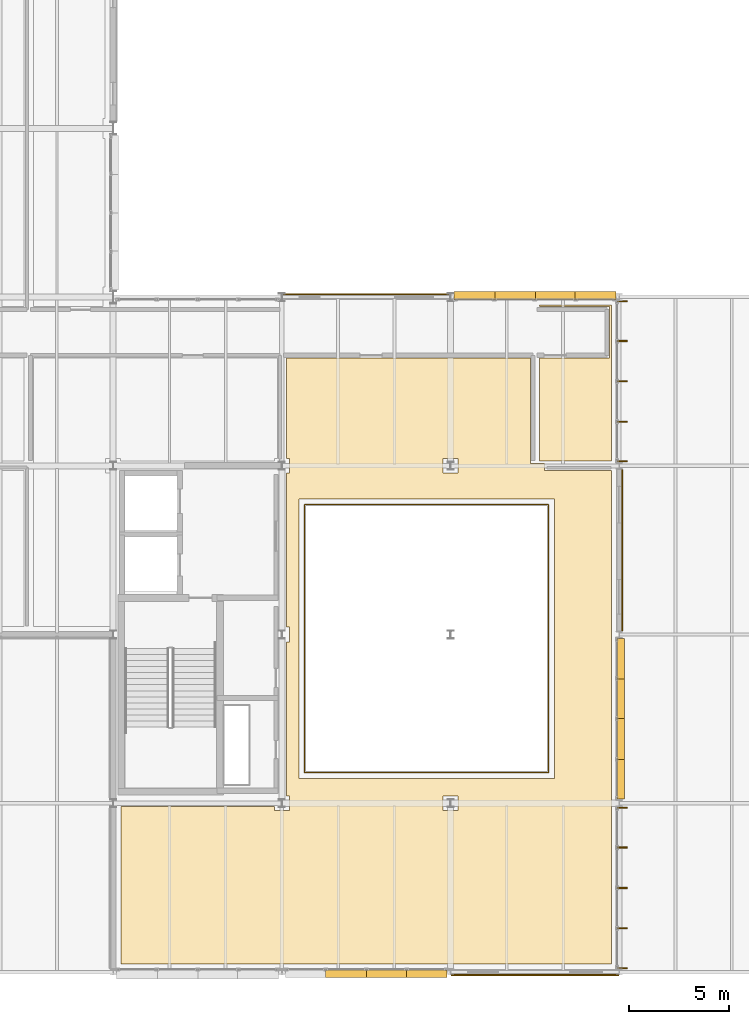
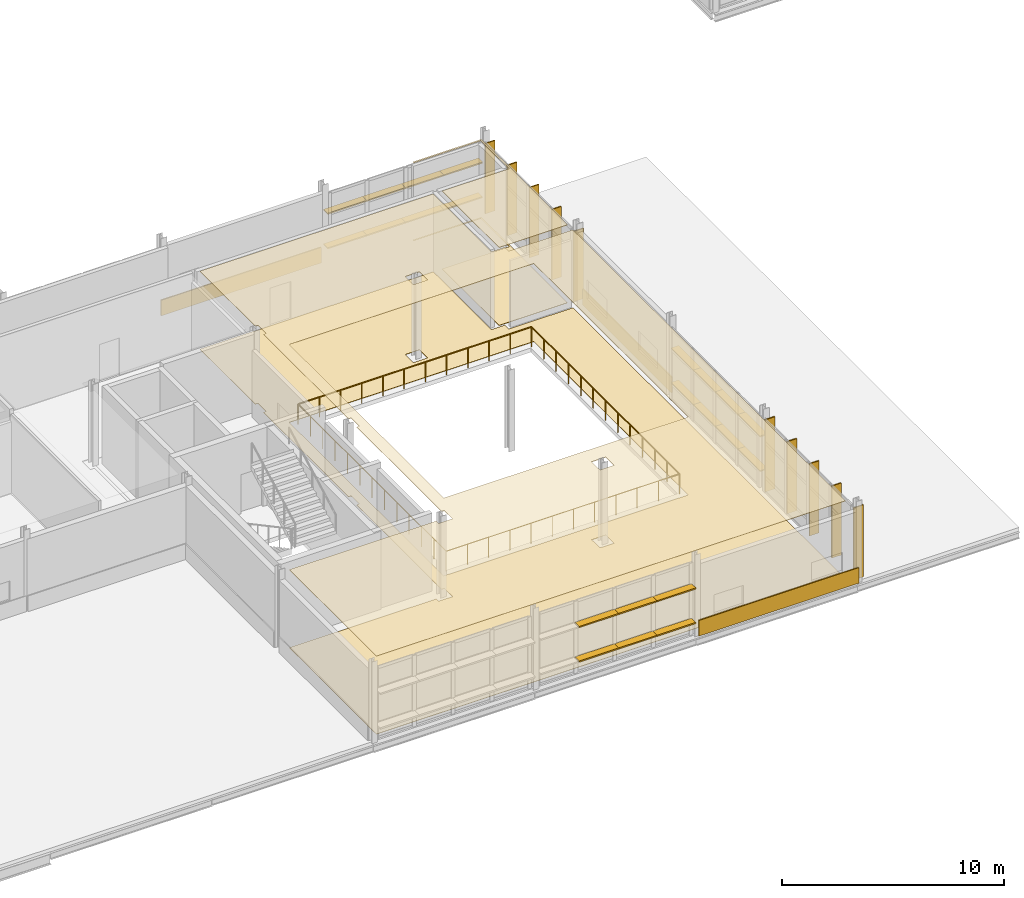
# One storey, part 122 of 129: 32 shading devices, 7 coverings, 1 railing.
"""IFC4 building model written with IfcOpenShell, lengths in metres."""

from ifc_helpers import new_model, si_unit, direction, frame, origin, origin_2d, place, context, subcontext, project, spatial, polyline, rectangle, circle, outline, extrude, material, layer, layer_set, type_object, element, save


model = new_model("IFC4")

# Units and contexts
model_context = context("Model", 3, precision=1e-05, world=origin(), true_north=direction((0.0, 1.0)))
body_context = subcontext(model_context, "Body", "Model", "MODEL_VIEW")
ifc_project = project(units=[si_unit("LENGTHUNIT", "METRE"), si_unit("AREAUNIT", "SQUARE_METRE"), si_unit("VOLUMEUNIT", "CUBIC_METRE"), si_unit("PLANEANGLEUNIT", "RADIAN"), si_unit("MASSUNIT", "GRAM", prefix="KILO")], contexts=[model_context])

# Site, building, storey
site_placement = place(None, origin())
site = spatial("IfcSite", under=ifc_project, at=site_placement, CompositionType="ELEMENT")
building_placement = place(site_placement, origin())
building = spatial("IfcBuilding", under=site, at=building_placement, Name="Mersafa Astral City Hall", CompositionType="ELEMENT")
storey_placement = place(building_placement, frame((0.0, 0.0, 5.39990234375)))
storey = spatial("IfcBuildingStorey", under=building, at=storey_placement, Name="L01", CompositionType="ELEMENT", Elevation=5.39990234375)

# Coverings
ifc_material_1 = material(Name="Cairo Mokattam buff limestone cladding", Category="masonry")
ifc_layer_1 = layer(ifc_material_1, 0.06005859375, Name="Cairo Mokattam buff limestone cladding")
ifc_layer_set_1 = layer_set([ifc_layer_1], Name="Cairo Mokattam buff limestone cladding — ENV-COV-LIMESTONE-60")
covering_type_1 = type_object("IfcCoveringType", Name="ENV-COV-LIMESTONE-60", PredefinedType="CLADDING", material=ifc_layer_set_1)
covering_1_placement = place(storey_placement, frame((138.60009765625, -0.154541015625, 0.0), z_axis=(0.0, 0.0, 1.0), x_axis=(1.0, 0.0, 0.0)))
element("IfcCovering", 1, at=covering_1_placement, inside=storey, type_object=covering_type_1, Name="L01 Cairo buff limestone rainscreen cladding 75", PredefinedType="CLADDING", context=body_context, shape_type="SweptSolid", body=[
    extrude(rectangle(XDim=8.323974609375, YDim=0.06005859375, at=origin_2d()), origin(), (0.0, 0.0, 1.0), 0.860107421875),
])
covering_2_placement = place(storey_placement, frame((142.947021484375, 20.9951171875, 0.0), z_axis=(0.0, 0.0, 1.0), x_axis=(0.0, 1.0, 0.0)))
element("IfcCovering", 2, at=covering_2_placement, inside=storey, type_object=covering_type_1, Name="L01 Cairo buff limestone rainscreen cladding 76", PredefinedType="CLADDING", context=body_context, shape_type="SweptSolid", body=[
    extrude(rectangle(XDim=7.998046875, YDim=0.06005859375, at=origin_2d()), origin(), (0.0, 0.0, 1.0), 0.860107421875),
])
covering_3_placement = place(storey_placement, frame((130.199951171875, 33.739501953125, 0.0), z_axis=(0.0, 0.0, 1.0), x_axis=(-1.0, 0.0, 0.0)))
element("IfcCovering", 3, at=covering_3_placement, inside=storey, type_object=covering_type_1, Name="L01 Cairo buff limestone rainscreen cladding 77", PredefinedType="CLADDING", context=body_context, shape_type="SweptSolid", body=[
    extrude(rectangle(XDim=8.323974609375, YDim=0.06005859375, at=origin_2d()), origin(), (0.0, 0.0, 1.0), 0.860107421875),
])

# Railing
ifc_material_2 = material(Name="Architectural steel atrium guard balustrade", Category="steel")
railing_type = type_object("IfcRailingType", Name="ENV-RAIL-ATRIUM-1120", PredefinedType="BALUSTRADE", material=ifc_material_2)
railing_placement = place(storey_placement, frame((127.1298828125, 9.929931640625, 0.0)))
element("IfcRailing", 4, at=railing_placement, inside=storey, type_object=railing_type, Name="L01 Multi-storey void guard balustrade VOID-L01-LIB", PredefinedType="BALUSTRADE", context=body_context, shape_type="SweptSolid", body=[
    extrude(circle(Radius=0.02392578125, at=origin_2d()), frame((0.0, 0.0, 1.09619140625), z_axis=(1.0, 0.0, 0.0), x_axis=(0.0, 1.0, 0.0)), (0.0, 0.0, 1.0), 12.14013671875),
    extrude(circle(Radius=0.02392578125, at=origin_2d()), frame((12.14013671875, 0.0, 1.09619140625), z_axis=(0.0, 1.0, 0.0), x_axis=(-1.0, 0.0, 0.0)), (0.0, 0.0, 1.0), 13.340087890625),
    extrude(circle(Radius=0.02392578125, at=origin_2d()), frame((12.14013671875, 13.340087890625, 1.09619140625), z_axis=(-1.0, 0.0, 0.0), x_axis=(0.0, -1.0, 0.0)), (0.0, 0.0, 1.0), 12.14013671875),
    extrude(circle(Radius=0.02392578125, at=origin_2d()), frame((0.0, 13.340087890625, 1.09619140625), z_axis=(0.0, -1.0, 0.0), x_axis=(1.0, 0.0, 0.0)), (0.0, 0.0, 1.0), 13.340087890625),
    extrude(circle(Radius=0.02099609375, at=origin_2d()), origin(), (0.0, 0.0, 1.0), 1.072021484375),
    extrude(circle(Radius=0.02099609375, at=origin_2d()), frame((1.103759765625, 0.0, 0.0)), (0.0, 0.0, 1.0), 1.072021484375),
    extrude(circle(Radius=0.02099609375, at=origin_2d()), frame((2.207275390625, 0.0, 0.0)), (0.0, 0.0, 1.0), 1.072021484375),
    extrude(circle(Radius=0.02099609375, at=origin_2d()), frame((3.31103515625, 0.0, 0.0)), (0.0, 0.0, 1.0), 1.072021484375),
    extrude(circle(Radius=0.02099609375, at=origin_2d()), frame((4.41455078125, 0.0, 0.0)), (0.0, 0.0, 1.0), 1.072021484375),
    extrude(circle(Radius=0.02099609375, at=origin_2d()), frame((5.518310546875, 0.0, 0.0)), (0.0, 0.0, 1.0), 1.072021484375),
    extrude(circle(Radius=0.02099609375, at=origin_2d()), frame((6.621826171875, 0.0, 0.0)), (0.0, 0.0, 1.0), 1.072021484375),
    extrude(circle(Radius=0.02099609375, at=origin_2d()), frame((7.7255859375, 0.0, 0.0)), (0.0, 0.0, 1.0), 1.072021484375),
    extrude(circle(Radius=0.02099609375, at=origin_2d()), frame((8.8291015625, 0.0, 0.0)), (0.0, 0.0, 1.0), 1.072021484375),
    extrude(circle(Radius=0.02099609375, at=origin_2d()), frame((9.932861328125, 0.0, 0.0)), (0.0, 0.0, 1.0), 1.072021484375),
    extrude(circle(Radius=0.02099609375, at=origin_2d()), frame((11.036376953125, 0.0, 0.0)), (0.0, 0.0, 1.0), 1.072021484375),
    extrude(circle(Radius=0.02099609375, at=origin_2d()), frame((12.14013671875, 0.0, 0.0)), (0.0, 0.0, 1.0), 1.072021484375),
    extrude(circle(Radius=0.02099609375, at=origin_2d()), frame((12.14013671875, 1.111572265625, 0.0)), (0.0, 0.0, 1.0), 1.072021484375),
    extrude(circle(Radius=0.02099609375, at=origin_2d()), frame((12.14013671875, 2.223388671875, 0.0)), (0.0, 0.0, 1.0), 1.072021484375),
    extrude(circle(Radius=0.02099609375, at=origin_2d()), frame((12.14013671875, 3.3349609375, 0.0)), (0.0, 0.0, 1.0), 1.072021484375),
    extrude(circle(Radius=0.02099609375, at=origin_2d()), frame((12.14013671875, 4.44677734375, 0.0)), (0.0, 0.0, 1.0), 1.072021484375),
    extrude(circle(Radius=0.02099609375, at=origin_2d()), frame((12.14013671875, 5.558349609375, 0.0)), (0.0, 0.0, 1.0), 1.072021484375),
    extrude(circle(Radius=0.02099609375, at=origin_2d()), frame((12.14013671875, 6.669921875, 0.0)), (0.0, 0.0, 1.0), 1.072021484375),
    extrude(circle(Radius=0.02099609375, at=origin_2d()), frame((12.14013671875, 7.78173828125, 0.0)), (0.0, 0.0, 1.0), 1.072021484375),
    extrude(circle(Radius=0.02099609375, at=origin_2d()), frame((12.14013671875, 8.893310546875, 0.0)), (0.0, 0.0, 1.0), 1.072021484375),
    extrude(circle(Radius=0.02099609375, at=origin_2d()), frame((12.14013671875, 10.005126953125, 0.0)), (0.0, 0.0, 1.0), 1.072021484375),
    extrude(circle(Radius=0.02099609375, at=origin_2d()), frame((12.14013671875, 11.11669921875, 0.0)), (0.0, 0.0, 1.0), 1.072021484375),
    extrude(circle(Radius=0.02099609375, at=origin_2d()), frame((12.14013671875, 12.228515625, 0.0)), (0.0, 0.0, 1.0), 1.072021484375),
    extrude(circle(Radius=0.02099609375, at=origin_2d()), frame((12.14013671875, 13.340087890625, 0.0)), (0.0, 0.0, 1.0), 1.072021484375),
    extrude(circle(Radius=0.02099609375, at=origin_2d()), frame((11.036376953125, 13.340087890625, 0.0)), (0.0, 0.0, 1.0), 1.072021484375),
    extrude(circle(Radius=0.02099609375, at=origin_2d()), frame((9.932861328125, 13.340087890625, 0.0)), (0.0, 0.0, 1.0), 1.072021484375),
    extrude(circle(Radius=0.02099609375, at=origin_2d()), frame((8.8291015625, 13.340087890625, 0.0)), (0.0, 0.0, 1.0), 1.072021484375),
    extrude(circle(Radius=0.02099609375, at=origin_2d()), frame((7.7255859375, 13.340087890625, 0.0)), (0.0, 0.0, 1.0), 1.072021484375),
    extrude(circle(Radius=0.02099609375, at=origin_2d()), frame((6.621826171875, 13.340087890625, 0.0)), (0.0, 0.0, 1.0), 1.072021484375),
    extrude(circle(Radius=0.02099609375, at=origin_2d()), frame((5.518310546875, 13.340087890625, 0.0)), (0.0, 0.0, 1.0), 1.072021484375),
    extrude(circle(Radius=0.02099609375, at=origin_2d()), frame((4.41455078125, 13.340087890625, 0.0)), (0.0, 0.0, 1.0), 1.072021484375),
    extrude(circle(Radius=0.02099609375, at=origin_2d()), frame((3.31103515625, 13.340087890625, 0.0)), (0.0, 0.0, 1.0), 1.072021484375),
    extrude(circle(Radius=0.02099609375, at=origin_2d()), frame((2.207275390625, 13.340087890625, 0.0)), (0.0, 0.0, 1.0), 1.072021484375),
    extrude(circle(Radius=0.02099609375, at=origin_2d()), frame((1.103759765625, 13.340087890625, 0.0)), (0.0, 0.0, 1.0), 1.072021484375),
    extrude(circle(Radius=0.02099609375, at=origin_2d()), frame((0.0, 13.340087890625, 0.0)), (0.0, 0.0, 1.0), 1.072021484375),
    extrude(circle(Radius=0.02099609375, at=origin_2d()), frame((0.0, 12.228515625, 0.0)), (0.0, 0.0, 1.0), 1.072021484375),
    extrude(circle(Radius=0.02099609375, at=origin_2d()), frame((0.0, 11.11669921875, 0.0)), (0.0, 0.0, 1.0), 1.072021484375),
    extrude(circle(Radius=0.02099609375, at=origin_2d()), frame((0.0, 10.005126953125, 0.0)), (0.0, 0.0, 1.0), 1.072021484375),
    extrude(circle(Radius=0.02099609375, at=origin_2d()), frame((0.0, 8.893310546875, 0.0)), (0.0, 0.0, 1.0), 1.072021484375),
    extrude(circle(Radius=0.02099609375, at=origin_2d()), frame((0.0, 7.78173828125, 0.0)), (0.0, 0.0, 1.0), 1.072021484375),
    extrude(circle(Radius=0.02099609375, at=origin_2d()), frame((0.0, 6.669921875, 0.0)), (0.0, 0.0, 1.0), 1.072021484375),
    extrude(circle(Radius=0.02099609375, at=origin_2d()), frame((0.0, 5.558349609375, 0.0)), (0.0, 0.0, 1.0), 1.072021484375),
    extrude(circle(Radius=0.02099609375, at=origin_2d()), frame((0.0, 4.44677734375, 0.0)), (0.0, 0.0, 1.0), 1.072021484375),
    extrude(circle(Radius=0.02099609375, at=origin_2d()), frame((0.0, 3.3349609375, 0.0)), (0.0, 0.0, 1.0), 1.072021484375),
    extrude(circle(Radius=0.02099609375, at=origin_2d()), frame((0.0, 2.223388671875, 0.0)), (0.0, 0.0, 1.0), 1.072021484375),
    extrude(circle(Radius=0.02099609375, at=origin_2d()), frame((0.0, 1.111572265625, 0.0)), (0.0, 0.0, 1.0), 1.072021484375),
])

# Shading devices
ifc_material_3 = material(Name="Anodised bronze aluminium solar fin", Category="aluminium")
shading_device_type_1 = type_object("IfcShadingDeviceType", Name="ENV-SHD-FIN-500B", PredefinedType="USERDEFINED", material=ifc_material_3)
for number, where, z_axis, x_axis, name in (
    (5, (142.945068359375, 0.19189453125, -0.014892578125), (0.0, 0.0, 1.0), (0.0, 1.0, 0.0), "L01 Vertical bronze solar fin 317"),
    (6, (142.945068359375, 2.173583984375, -0.014892578125), (0.0, 0.0, 1.0), (0.0, 1.0, 0.0), "L01 Vertical bronze solar fin 318"),
    (7, (142.945068359375, 4.18505859375, -0.014892578125), (0.0, 0.0, 1.0), (0.0, 1.0, 0.0), "L01 Vertical bronze solar fin 319"),
    (8, (142.945068359375, 6.196533203125, -0.014892578125), (0.0, 0.0, 1.0), (0.0, 1.0, 0.0), "L01 Vertical bronze solar fin 320"),
    (9, (142.945068359375, 8.177978515625, -0.014892578125), (0.0, 0.0, 1.0), (0.0, 1.0, 0.0), "L01 Vertical bronze solar fin 321"),
):
    element("IfcShadingDevice", number, at=place(storey_placement, frame(where, z_axis=z_axis, x_axis=x_axis)), inside=storey, type_object=shading_device_type_1, Name=name, ObjectType="FIN", PredefinedType="USERDEFINED", context=body_context, shape_type="SweptSolid", body=[
        extrude(rectangle(XDim=0.06005859375, YDim=0.5, at=origin_2d()), origin(), (0.0, 0.0, 1.0), 3.9619140625),
    ])
for number, where, z_axis, x_axis, name in (
    (10, (142.945068359375, 25.422119140625, -0.014892578125), (0.0, 0.0, 1.0), (0.0, 1.0, 0.0), "L01 Vertical bronze solar fin 330"),
    (11, (142.945068359375, 27.3984375, -0.014892578125), (0.0, 0.0, 1.0), (0.0, 1.0, 0.0), "L01 Vertical bronze solar fin 331"),
    (12, (142.945068359375, 29.405029296875, -0.014892578125), (0.0, 0.0, 1.0), (0.0, 1.0, 0.0), "L01 Vertical bronze solar fin 332"),
    (13, (142.945068359375, 31.41162109375, -0.014892578125), (0.0, 0.0, 1.0), (0.0, 1.0, 0.0), "L01 Vertical bronze solar fin 333"),
    (14, (142.945068359375, 33.387939453125, -0.014892578125), (0.0, 0.0, 1.0), (0.0, 1.0, 0.0), "L01 Vertical bronze solar fin 334"),
):
    element("IfcShadingDevice", number, at=place(storey_placement, frame(where, z_axis=z_axis, x_axis=x_axis)), inside=storey, type_object=shading_device_type_1, Name=name, ObjectType="FIN", PredefinedType="USERDEFINED", context=body_context, shape_type="SweptSolid", body=[
        extrude(rectangle(XDim=0.06005859375, YDim=0.5, at=origin_2d()), origin(), (0.0, 0.0, 1.0), 3.8720703125),
    ])
ifc_material_4 = material(Name="Kiln-dried cedar timber brise-soleil blade", Category="wood")
shading_device_type_2 = type_object("IfcShadingDeviceType", Name="ENV-SHD-LOUVRE-380", PredefinedType="JALOUSIE", material=ifc_material_4)
for number, where, z_axis, x_axis, name in (
    (15, (129.1904296875, -0.080078125, 0.81494140625), (0.0, 0.0, 1.0), (1.0, 0.0, 0.0), "L01 Horizontal cedar brise-soleil louvre 310"),
    (16, (131.20947265625, -0.080078125, 0.81494140625), (0.0, 0.0, 1.0), (1.0, 0.0, 0.0), "L01 Horizontal cedar brise-soleil louvre 311"),
):
    element("IfcShadingDevice", number, at=place(storey_placement, frame(where, z_axis=z_axis, x_axis=x_axis)), inside=storey, type_object=shading_device_type_2, Name=name, PredefinedType="JALOUSIE", context=body_context, shape_type="SweptSolid", body=[
        extrude(rectangle(XDim=2.05908203125, YDim=0.3798828125, at=origin_2d()), origin(), (0.0, 0.0, 1.0), 0.070068359375),
    ])
shading_device_1_placement = place(storey_placement, frame((133.21337890625, -0.080078125, 0.81494140625), z_axis=(0.0, 0.0, 1.0), x_axis=(1.0, 0.0, 0.0)))
element("IfcShadingDevice", 17, at=shading_device_1_placement, inside=storey, type_object=shading_device_type_2, Name="L01 Horizontal cedar brise-soleil louvre 312", PredefinedType="JALOUSIE", context=body_context, shape_type="SweptSolid", body=[
    extrude(rectangle(XDim=2.029052734375, YDim=0.3798828125, at=origin_2d()), origin(), (0.0, 0.0, 1.0), 0.070068359375),
])
for number, where, z_axis, x_axis, name in (
    (18, (129.1904296875, -0.080078125, 2.71484375), (0.0, 0.0, 1.0), (1.0, 0.0, 0.0), "L01 Horizontal cedar brise-soleil louvre 314"),
    (19, (131.20947265625, -0.080078125, 2.71484375), (0.0, 0.0, 1.0), (1.0, 0.0, 0.0), "L01 Horizontal cedar brise-soleil louvre 315"),
):
    element("IfcShadingDevice", number, at=place(storey_placement, frame(where, z_axis=z_axis, x_axis=x_axis)), inside=storey, type_object=shading_device_type_2, Name=name, PredefinedType="JALOUSIE", context=body_context, shape_type="SweptSolid", body=[
        extrude(rectangle(XDim=2.05908203125, YDim=0.3798828125, at=origin_2d()), origin(), (0.0, 0.0, 1.0), 0.070068359375),
    ])
shading_device_2_placement = place(storey_placement, frame((133.21337890625, -0.080078125, 2.71484375), z_axis=(0.0, 0.0, 1.0), x_axis=(1.0, 0.0, 0.0)))
element("IfcShadingDevice", 20, at=shading_device_2_placement, inside=storey, type_object=shading_device_type_2, Name="L01 Horizontal cedar brise-soleil louvre 316", PredefinedType="JALOUSIE", context=body_context, shape_type="SweptSolid", body=[
    extrude(rectangle(XDim=2.029052734375, YDim=0.3798828125, at=origin_2d()), origin(), (0.0, 0.0, 1.0), 0.070068359375),
])
shading_device_3_placement = place(storey_placement, frame((142.8798828125, 9.6103515625, 0.81494140625), z_axis=(0.0, 0.0, 1.0), x_axis=(0.0, 1.0, 0.0)))
element("IfcShadingDevice", 21, at=shading_device_3_placement, inside=storey, type_object=shading_device_type_2, Name="L01 Horizontal cedar brise-soleil louvre 322", PredefinedType="JALOUSIE", context=body_context, shape_type="SweptSolid", body=[
    extrude(rectangle(XDim=2.0166015625, YDim=0.3798828125, at=origin_2d()), origin(), (0.0, 0.0, 1.0), 0.070068359375),
])
for number, where, z_axis, x_axis, name in (
    (22, (142.8798828125, 11.601806640625, 0.81494140625), (0.0, 0.0, 1.0), (0.0, 1.0, 0.0), "L01 Horizontal cedar brise-soleil louvre 323"),
    (23, (142.8798828125, 13.608154296875, 0.81494140625), (0.0, 0.0, 1.0), (0.0, 1.0, 0.0), "L01 Horizontal cedar brise-soleil louvre 324"),
):
    element("IfcShadingDevice", number, at=place(storey_placement, frame(where, z_axis=z_axis, x_axis=x_axis)), inside=storey, type_object=shading_device_type_2, Name=name, PredefinedType="JALOUSIE", context=body_context, shape_type="SweptSolid", body=[
        extrude(rectangle(XDim=2.04638671875, YDim=0.3798828125, at=origin_2d()), origin(), (0.0, 0.0, 1.0), 0.070068359375),
    ])
for number, where, z_axis, x_axis, name in (
    (24, (142.8798828125, 15.599609375, 0.81494140625), (0.0, 0.0, 1.0), (0.0, 1.0, 0.0), "L01 Horizontal cedar brise-soleil louvre 325"),
    (25, (142.8798828125, 9.6103515625, 2.71484375), (0.0, 0.0, 1.0), (0.0, 1.0, 0.0), "L01 Horizontal cedar brise-soleil louvre 326"),
):
    element("IfcShadingDevice", number, at=place(storey_placement, frame(where, z_axis=z_axis, x_axis=x_axis)), inside=storey, type_object=shading_device_type_2, Name=name, PredefinedType="JALOUSIE", context=body_context, shape_type="SweptSolid", body=[
        extrude(rectangle(XDim=2.0166015625, YDim=0.3798828125, at=origin_2d()), origin(), (0.0, 0.0, 1.0), 0.070068359375),
    ])
for number, where, z_axis, x_axis, name in (
    (26, (142.8798828125, 11.601806640625, 2.71484375), (0.0, 0.0, 1.0), (0.0, 1.0, 0.0), "L01 Horizontal cedar brise-soleil louvre 327"),
    (27, (142.8798828125, 13.608154296875, 2.71484375), (0.0, 0.0, 1.0), (0.0, 1.0, 0.0), "L01 Horizontal cedar brise-soleil louvre 328"),
):
    element("IfcShadingDevice", number, at=place(storey_placement, frame(where, z_axis=z_axis, x_axis=x_axis)), inside=storey, type_object=shading_device_type_2, Name=name, PredefinedType="JALOUSIE", context=body_context, shape_type="SweptSolid", body=[
        extrude(rectangle(XDim=2.04638671875, YDim=0.3798828125, at=origin_2d()), origin(), (0.0, 0.0, 1.0), 0.070068359375),
    ])
shading_device_4_placement = place(storey_placement, frame((142.8798828125, 15.599609375, 2.71484375), z_axis=(0.0, 0.0, 1.0), x_axis=(0.0, 1.0, 0.0)))
element("IfcShadingDevice", 28, at=shading_device_4_placement, inside=storey, type_object=shading_device_type_2, Name="L01 Horizontal cedar brise-soleil louvre 329", PredefinedType="JALOUSIE", context=body_context, shape_type="SweptSolid", body=[
    extrude(rectangle(XDim=2.0166015625, YDim=0.3798828125, at=origin_2d()), origin(), (0.0, 0.0, 1.0), 0.070068359375),
])
shading_device_5_placement = place(storey_placement, frame((141.613525390625, 33.679931640625, 0.81494140625), z_axis=(0.0, 0.0, 1.0), x_axis=(-1.0, 0.0, 0.0)))
element("IfcShadingDevice", 29, at=shading_device_5_placement, inside=storey, type_object=shading_device_type_2, Name="L01 Horizontal cedar brise-soleil louvre 335", PredefinedType="JALOUSIE", context=body_context, shape_type="SweptSolid", body=[
    extrude(rectangle(XDim=2.029052734375, YDim=0.3798828125, at=origin_2d()), origin(), (0.0, 0.0, 1.0), 0.070068359375),
])
for number, where, z_axis, x_axis, name in (
    (30, (139.609619140625, 33.679931640625, 0.81494140625), (0.0, 0.0, 1.0), (-1.0, 0.0, 0.0), "L01 Horizontal cedar brise-soleil louvre 336"),
    (31, (137.590576171875, 33.679931640625, 0.81494140625), (0.0, 0.0, 1.0), (-1.0, 0.0, 0.0), "L01 Horizontal cedar brise-soleil louvre 337"),
):
    element("IfcShadingDevice", number, at=place(storey_placement, frame(where, z_axis=z_axis, x_axis=x_axis)), inside=storey, type_object=shading_device_type_2, Name=name, PredefinedType="JALOUSIE", context=body_context, shape_type="SweptSolid", body=[
        extrude(rectangle(XDim=2.05908203125, YDim=0.3798828125, at=origin_2d()), origin(), (0.0, 0.0, 1.0), 0.070068359375),
    ])
for number, where, z_axis, x_axis, name in (
    (32, (135.58642578125, 33.679931640625, 0.81494140625), (0.0, 0.0, 1.0), (-1.0, 0.0, 0.0), "L01 Horizontal cedar brise-soleil louvre 338"),
    (33, (141.613525390625, 33.679931640625, 2.71484375), (0.0, 0.0, 1.0), (-1.0, 0.0, 0.0), "L01 Horizontal cedar brise-soleil louvre 339"),
):
    element("IfcShadingDevice", number, at=place(storey_placement, frame(where, z_axis=z_axis, x_axis=x_axis)), inside=storey, type_object=shading_device_type_2, Name=name, PredefinedType="JALOUSIE", context=body_context, shape_type="SweptSolid", body=[
        extrude(rectangle(XDim=2.029052734375, YDim=0.3798828125, at=origin_2d()), origin(), (0.0, 0.0, 1.0), 0.070068359375),
    ])
for number, where, z_axis, x_axis, name in (
    (34, (139.609619140625, 33.679931640625, 2.71484375), (0.0, 0.0, 1.0), (-1.0, 0.0, 0.0), "L01 Horizontal cedar brise-soleil louvre 340"),
    (35, (137.590576171875, 33.679931640625, 2.71484375), (0.0, 0.0, 1.0), (-1.0, 0.0, 0.0), "L01 Horizontal cedar brise-soleil louvre 341"),
):
    element("IfcShadingDevice", number, at=place(storey_placement, frame(where, z_axis=z_axis, x_axis=x_axis)), inside=storey, type_object=shading_device_type_2, Name=name, PredefinedType="JALOUSIE", context=body_context, shape_type="SweptSolid", body=[
        extrude(rectangle(XDim=2.05908203125, YDim=0.3798828125, at=origin_2d()), origin(), (0.0, 0.0, 1.0), 0.070068359375),
    ])
shading_device_6_placement = place(storey_placement, frame((135.58642578125, 33.679931640625, 2.71484375), z_axis=(0.0, 0.0, 1.0), x_axis=(-1.0, 0.0, 0.0)))
element("IfcShadingDevice", 36, at=shading_device_6_placement, inside=storey, type_object=shading_device_type_2, Name="L01 Horizontal cedar brise-soleil louvre 342", PredefinedType="JALOUSIE", context=body_context, shape_type="SweptSolid", body=[
    extrude(rectangle(XDim=2.029052734375, YDim=0.3798828125, at=origin_2d()), origin(), (0.0, 0.0, 1.0), 0.070068359375),
])

# Coverings
ifc_material_5 = material(Name="Perforated acoustic gypsum board ceiling", Category="gypsum")
ifc_layer_2 = layer(ifc_material_5, 0.02490234375, Name="Perforated acoustic gypsum board ceiling")
ifc_layer_set_2 = layer_set([ifc_layer_2], Name="Perforated acoustic gypsum board ceiling — INT-COV-CEIL-25")
covering_type_2 = type_object("IfcCoveringType", Name="INT-COV-CEIL-25", PredefinedType="CEILING", material=ifc_layer_set_2)
covering_4_placement = place(storey_placement, frame((0.0, 0.0, 4.281005859375)))
element("IfcCovering", 37, at=covering_4_placement, inside=storey, type_object=covering_type_2, Name="L01 Municipal Administration Office L01-15 acoustic ceiling", PredefinedType="CEILING", context=body_context, shape_type="SweptSolid", body=[
    extrude(outline(polyline([(125.6298828125, 8.030029296875), (126.3701171875, 8.030029296875), (126.3701171875, 8.77001953125), (126.22998046875, 8.77001953125), (126.22998046875, 16.429931640625), (126.3701171875, 16.429931640625), (126.3701171875, 17.169921875), (126.22998046875, 17.169921875), (126.22998046875, 24.830078125), (126.3701171875, 24.830078125), (126.3701171875, 25.570068359375), (126.22998046875, 25.570068359375), (126.22998046875, 30.56005859375), (138.3701171875, 30.56005859375), (138.3701171875, 25.320068359375), (139.070068359375, 25.320068359375), (139.070068359375, 24.969970703125), (142.39990234375, 24.969970703125), (142.39990234375, 0.39990234375), (118.0, 0.39990234375), (118.0, 8.239990234375), (125.6298828125, 8.239990234375), (125.6298828125, 8.030029296875)]), holes=[polyline([(126.840087890625, 9.639892578125), (139.56005859375, 9.639892578125), (139.56005859375, 23.56005859375), (126.840087890625, 23.56005859375), (126.840087890625, 9.639892578125)]), polyline([(134.77001953125, 8.030029296875), (134.77001953125, 8.77001953125), (134.030029296875, 8.77001953125), (134.030029296875, 8.030029296875), (134.77001953125, 8.030029296875)]), polyline([(134.77001953125, 24.830078125), (134.77001953125, 25.570068359375), (134.030029296875, 25.570068359375), (134.030029296875, 24.830078125), (134.77001953125, 24.830078125)])]), origin(), (0.0, 0.0, 1.0), 0.025146484375),
])
covering_5_placement = place(storey_placement, frame((0.0, 0.0, 4.281005859375)))
element("IfcCovering", 38, at=covering_5_placement, inside=storey, type_object=covering_type_2, Name="L01 Municipal Administration Office L01-33 acoustic ceiling", PredefinedType="CEILING", context=body_context, shape_type="SweptSolid", body=[
    extrude(outline(polyline([(138.830078125, 25.429931640625), (138.830078125, 30.56005859375), (142.320068359375, 30.56005859375), (142.320068359375, 33.1201171875), (138.830078125, 33.1201171875), (138.830078125, 33.199951171875), (142.39990234375, 33.199951171875), (142.39990234375, 25.429931640625), (138.830078125, 25.429931640625)])), origin(), (0.0, 0.0, 1.0), 0.025146484375),
])
ifc_material_6 = material(Name="Honed Cairo limestone terrazzo flooring", Category="masonry")
ifc_layer_3 = layer(ifc_material_6, 0.02001953125, Name="Honed Cairo limestone terrazzo flooring")
ifc_layer_set_3 = layer_set([ifc_layer_3], Name="Honed Cairo limestone terrazzo flooring — INT-COV-FLR-20")
covering_type_3 = type_object("IfcCoveringType", Name="INT-COV-FLR-20", PredefinedType="FLOORING", material=ifc_layer_set_3)
covering_6_placement = place(storey_placement, frame((0.0, 0.0, -0.00146484375)))
element("IfcCovering", 39, at=covering_6_placement, inside=storey, type_object=covering_type_3, Name="L01 Municipal Administration Office L01-15 architectural flooring", PredefinedType="FLOORING", context=body_context, shape_type="SweptSolid", body=[
    extrude(outline(polyline([(125.6298828125, 8.030029296875), (126.3701171875, 8.030029296875), (126.3701171875, 8.77001953125), (126.22998046875, 8.77001953125), (126.22998046875, 16.429931640625), (126.3701171875, 16.429931640625), (126.3701171875, 17.169921875), (126.22998046875, 17.169921875), (126.22998046875, 24.830078125), (126.3701171875, 24.830078125), (126.3701171875, 25.570068359375), (126.22998046875, 25.570068359375), (126.22998046875, 30.56005859375), (138.3701171875, 30.56005859375), (138.3701171875, 25.320068359375), (139.070068359375, 25.320068359375), (139.070068359375, 24.969970703125), (142.39990234375, 24.969970703125), (142.39990234375, 0.39990234375), (118.0, 0.39990234375), (118.0, 8.239990234375), (125.6298828125, 8.239990234375), (125.6298828125, 8.030029296875)]), holes=[polyline([(126.840087890625, 9.639892578125), (139.56005859375, 9.639892578125), (139.56005859375, 23.56005859375), (126.840087890625, 23.56005859375), (126.840087890625, 9.639892578125)]), polyline([(134.77001953125, 8.030029296875), (134.77001953125, 8.77001953125), (134.030029296875, 8.77001953125), (134.030029296875, 8.030029296875), (134.77001953125, 8.030029296875)]), polyline([(134.77001953125, 24.830078125), (134.77001953125, 25.570068359375), (134.030029296875, 25.570068359375), (134.030029296875, 24.830078125), (134.77001953125, 24.830078125)])]), origin(), (0.0, 0.0, 1.0), 0.02001953125),
])
covering_7_placement = place(storey_placement, frame((0.0, 0.0, -0.00146484375)))
element("IfcCovering", 40, at=covering_7_placement, inside=storey, type_object=covering_type_3, Name="L01 Municipal Administration Office L01-33 architectural flooring", PredefinedType="FLOORING", context=body_context, shape_type="SweptSolid", body=[
    extrude(outline(polyline([(138.830078125, 25.429931640625), (138.830078125, 30.56005859375), (142.320068359375, 30.56005859375), (142.320068359375, 33.1201171875), (138.830078125, 33.1201171875), (138.830078125, 33.199951171875), (142.39990234375, 33.199951171875), (142.39990234375, 25.429931640625), (138.830078125, 25.429931640625)])), origin(), (0.0, 0.0, 1.0), 0.02001953125),
])

save(model, "model.ifc")
